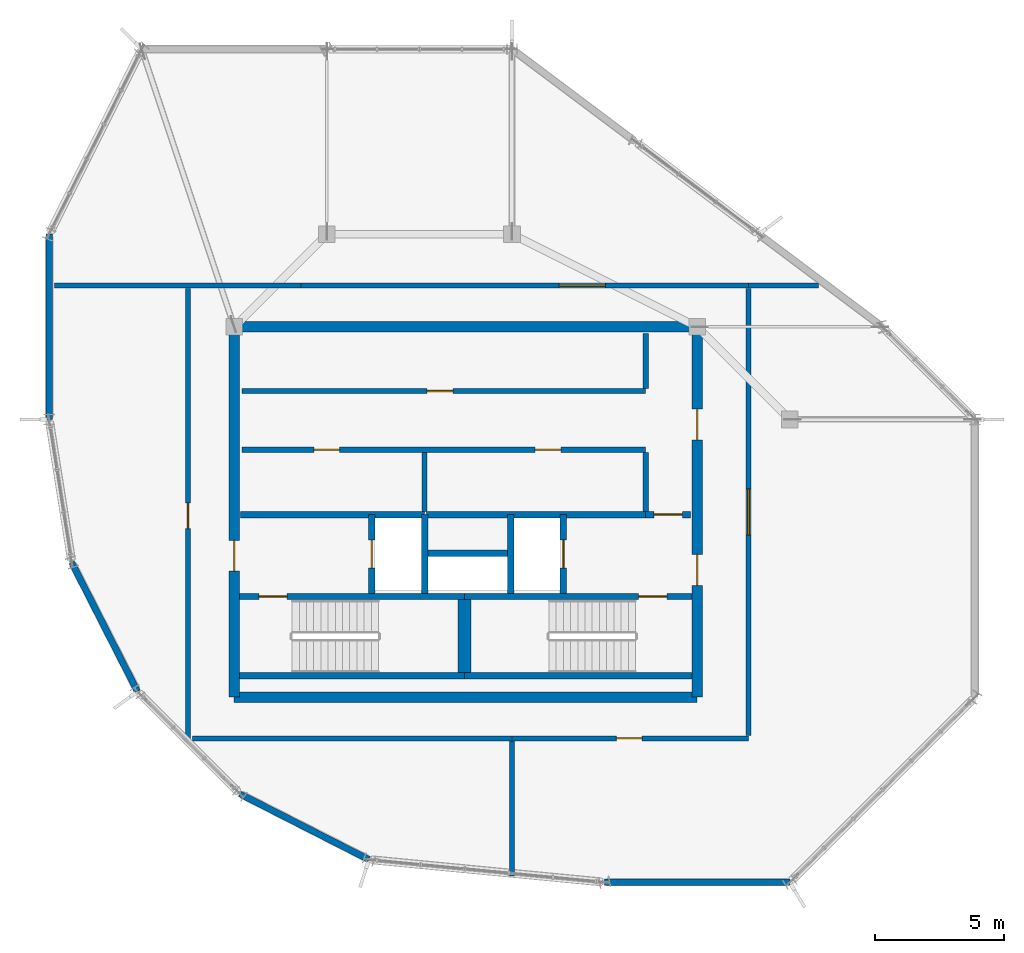
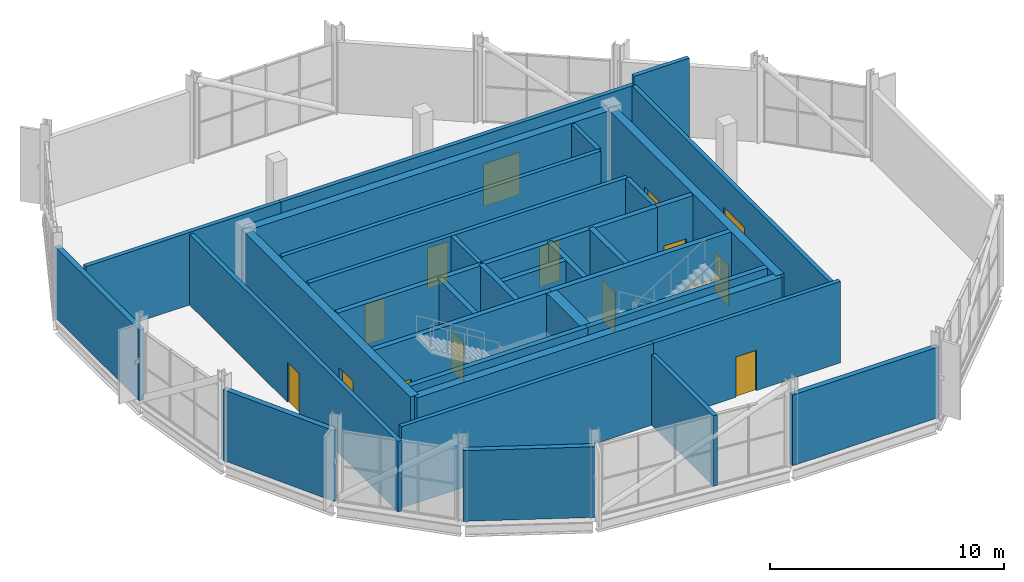
# One storey, part 19 of 22: 34 walls, 15 doors, 15 openings.
"""IFC4 building model written with IfcOpenShell, lengths in metres."""

from ifc_helpers import new_model, si_unit, direction, frame, frame_2d, origin, place, context, subcontext, project, spatial, rectangle, extrude, material, layer, layer_set, type_object, element, fill, save


model = new_model("IFC4")

# Units and contexts
model_context = context("Model", 3, precision=1e-05, world=origin(), true_north=direction((0.0, 1.0)))
body_context = subcontext(model_context, "Body", "Model", "MODEL_VIEW")
ifc_project = project(units=[si_unit("LENGTHUNIT", "METRE"), si_unit("AREAUNIT", "SQUARE_METRE"), si_unit("VOLUMEUNIT", "CUBIC_METRE"), si_unit("PLANEANGLEUNIT", "RADIAN"), si_unit("MASSUNIT", "GRAM", prefix="KILO")], contexts=[model_context])

# Site, building, storey
site_placement = place(None, origin())
site = spatial("IfcSite", under=ifc_project, at=site_placement, CompositionType="ELEMENT")
building_placement = place(site_placement, origin())
building = spatial("IfcBuilding", under=site, at=building_placement, Name="Solnavia Interchange Tower", CompositionType="ELEMENT")
storey_placement = place(building_placement, frame((0.0, 0.0, 308.699951171875)))
storey = spatial("IfcBuildingStorey", under=building, at=storey_placement, Name="C02", CompositionType="ELEMENT", Elevation=308.699951171875)

# Walls
ifc_material_1 = material(Name="Concrete C40/50", Category="concrete")
ifc_layer_1 = layer(ifc_material_1, 0.25)
ifc_layer_set_1 = layer_set([ifc_layer_1], Name="Concrete C40/50")
wall_type_1 = type_object("IfcWallType", Name="Wall-ExtSpandrel-250", PredefinedType="STANDARD", material=ifc_layer_set_1)
wall_1_placement = place(storey_placement, frame((7.199951171875, 28.800048828125, 0.0), z_axis=(0.0, 0.0, 1.0), x_axis=(0.0, -1.0, 0.0)))
element("IfcWall", 1, at=wall_1_placement, inside=storey, type_object=wall_type_1, Name="EXW-C02-R08 Crown ring facade panel", PredefinedType="STANDARD", context=body_context, shape_type="SweptSolid", body=[
    extrude(rectangle(XDim=7.199951171875, YDim=0.25, at=frame_2d((3.60009765625, 0.0))), origin(), (0.0, 0.0, 1.0), 3.679931640625),
])
for number, where, z_axis, x_axis, name in (
    (2, (8.0810546875, 16.0380859375, 0.0), (0.0, 0.0, 1.0), (0.453997861418, -0.891002773187, 0.0), "EXW-C02-R10 Crown ring facade panel"),
    (3, (14.6201171875, 7.0380859375, 0.0), (0.0, 0.0, 1.0), (0.890976300863, -0.454049811475, 0.0), "EXW-C02-R12 Crown ring facade panel"),
):
    element("IfcWall", number, at=place(storey_placement, frame(where, z_axis=z_axis, x_axis=x_axis)), inside=storey, type_object=wall_type_1, Name=name, PredefinedType="STANDARD", context=body_context, shape_type="SweptSolid", body=[
        extrude(rectangle(XDim=5.6318359375, YDim=0.25, at=frame_2d((2.81591796875, 0.0))), origin(), (0.0, 0.0, 1.0), 3.679931640625),
    ])
wall_2_placement = place(storey_placement, frame((28.800048828125, 3.60009765625, 0.0), z_axis=(0.0, 0.0, 1.0), x_axis=(1.0, 0.0, 0.0)))
element("IfcWall", 4, at=wall_2_placement, inside=storey, type_object=wall_type_1, Name="EXW-C02-R14 Crown ring facade panel", PredefinedType="STANDARD", context=body_context, shape_type="SweptSolid", body=[
    extrude(rectangle(XDim=7.199951171875, YDim=0.25, at=frame_2d((3.60009765625, 0.0))), origin(), (0.0, 0.0, 1.0), 3.679931640625),
])

# Wall, openings, doors
ifc_layer_2 = layer(ifc_material_1, 0.199951171875)
ifc_layer_set_2 = layer_set([ifc_layer_2], Name="Concrete C40/50")
wall_type_2 = type_object("IfcWallType", Name="Wall-PlantFire-200", PredefinedType="PARTITIONING", material=ifc_layer_set_2)
wall_3_placement = place(storey_placement, frame((14.699951171875, 20.419921875, 0.0), z_axis=(0.0, 0.0, 1.0), x_axis=(1.0, 0.0, 0.0)))
wall_3 = element("IfcWall", 5, at=wall_3_placement, inside=storey, type_object=wall_type_2, Name="CSW-C02-CR1 Core shaft wall", PredefinedType="PARTITIONING", context=body_context, shape_type="SweptSolid", body=[
    extrude(rectangle(XDim=15.699951171875, YDim=0.199951171875, at=frame_2d((7.85009765625, 0.0))), origin(), (0.0, 0.0, 1.0), 4.235107421875),
])
opening_1_placement = place(wall_3_placement, frame((2.800048828125, 0.0, 0.0)))
opening_1 = element("IfcOpeningElement", 6, at=opening_1_placement, cuts=wall_3, Name="Opening DR-04", PredefinedType="OPENING", context=body_context, shape_type="SweptSolid", body=[
    extrude(rectangle(XDim=1.0, YDim=2.10009765625, at=frame_2d((0.5, 1.050048828125))), frame((0.0, 0.10986328125, 0.0), z_axis=(0.0, -1.0, 0.0), x_axis=(1.0, 0.0, 0.0)), (0.0, 0.0, 1.0), 0.219970703125),
])
opening_2_placement = place(wall_3_placement, frame((11.39990234375, 0.0, 0.0)))
opening_2 = element("IfcOpeningElement", 7, at=opening_2_placement, cuts=wall_3, Name="Opening DR-04", PredefinedType="OPENING", context=body_context, shape_type="SweptSolid", body=[
    extrude(rectangle(XDim=1.0, YDim=2.10009765625, at=frame_2d((0.5, 1.050048828125))), frame((0.0, 0.10986328125, 0.0), z_axis=(0.0, -1.0, 0.0), x_axis=(1.0, 0.0, 0.0)), (0.0, 0.0, 1.0), 0.219970703125),
])
ifc_material_2 = material(Name="Steel Fire-Rated Plant Door", Category="steel")
door_type_1 = type_object("IfcDoorType", Name="Door-PlantFire-1000x2100", OperationType="SINGLE_SWING_LEFT", PredefinedType="DOOR", material=ifc_material_2)
door_1_placement = place(opening_1_placement, origin())
door_1 = element("IfcDoor", 8, at=door_1_placement, inside=storey, type_object=door_type_1, Name="DR-C02-CR1 Core fire door", OperationType="SINGLE_SWING_LEFT", OverallHeight=2.10009765625, OverallWidth=1.0, PredefinedType="DOOR", context=body_context, shape_type="SweptSolid", body=[
    extrude(rectangle(XDim=1.0, YDim=2.10009765625, at=frame_2d((0.5, 1.050048828125))), frame((0.0, 0.02490234375, 0.0), z_axis=(0.0, -1.0, 0.0), x_axis=(1.0, 0.0, 0.0)), (0.0, 0.0, 1.0), 0.050048828125),
])
fill(opening_1, door_1)
door_2_placement = place(opening_2_placement, origin())
door_2 = element("IfcDoor", 9, at=door_2_placement, inside=storey, type_object=door_type_1, Name="DR-C02-CR2 Core fire door", OperationType="SINGLE_SWING_RIGHT", OverallHeight=2.10009765625, OverallWidth=1.0, PredefinedType="DOOR", context=body_context, shape_type="SweptSolid", body=[
    extrude(rectangle(XDim=1.0, YDim=2.10009765625, at=frame_2d((0.5, 1.050048828125))), frame((0.0, 0.02490234375, 0.0), z_axis=(0.0, -1.0, 0.0), x_axis=(1.0, 0.0, 0.0)), (0.0, 0.0, 1.0), 0.050048828125),
])
fill(opening_2, door_2)

# Walls
for number, where, z_axis, x_axis, name in (
    (10, (30.39990234375, 18.02001953125, 0.0), (0.0, 0.0, 1.0), (0.0, 1.0, 0.0), "CSW-C02-CR2 Core shaft wall"),
    (11, (21.800048828125, 18.02001953125, 0.0), (0.0, 0.0, 1.0), (0.0, 1.0, 0.0), "CSW-C02-CR3 Core shaft wall"),
):
    element("IfcWall", number, at=place(storey_placement, frame(where, z_axis=z_axis, x_axis=x_axis)), inside=storey, type_object=wall_type_2, Name=name, PredefinedType="PARTITIONING", context=body_context, shape_type="SweptSolid", body=[
        extrude(rectangle(XDim=2.300048828125, YDim=0.199951171875, at=frame_2d((1.14990234375, 0.0))), origin(), (0.0, 0.0, 1.0), 4.235107421875),
    ])

# Wall, opening, door
wall_4_placement = place(storey_placement, frame((14.699951171875, 22.699951171875, 0.0), z_axis=(0.0, 0.0, 1.0), x_axis=(1.0, 0.0, 0.0)))
wall_4 = element("IfcWall", 12, at=wall_4_placement, inside=storey, type_object=wall_type_2, Name="CSW-C02-CR4 Core shaft wall", PredefinedType="PARTITIONING", context=body_context, shape_type="SweptSolid", body=[
    extrude(rectangle(XDim=15.699951171875, YDim=0.199951171875, at=frame_2d((7.85009765625, 0.0))), origin(), (0.0, 0.0, 1.0), 4.235107421875),
])
opening_3_placement = place(wall_4_placement, frame((7.199951171875, 0.0, 0.0)))
opening_3 = element("IfcOpeningElement", 13, at=opening_3_placement, cuts=wall_4, Name="Opening DR-04", PredefinedType="OPENING", context=body_context, shape_type="SweptSolid", body=[
    extrude(rectangle(XDim=1.0, YDim=2.10009765625, at=frame_2d((0.5, 1.050048828125))), frame((0.0, 0.10986328125, 0.0), z_axis=(0.0, -1.0, 0.0), x_axis=(1.0, 0.0, 0.0)), (0.0, 0.0, 1.0), 0.219970703125),
])
door_3_placement = place(opening_3_placement, origin())
door_3 = element("IfcDoor", 14, at=door_3_placement, inside=storey, type_object=door_type_1, Name="DR-C02-CR3 Core fire door", OperationType="SINGLE_SWING_LEFT", OverallHeight=2.10009765625, OverallWidth=1.0, PredefinedType="DOOR", context=body_context, shape_type="SweptSolid", body=[
    extrude(rectangle(XDim=1.0, YDim=2.10009765625, at=frame_2d((0.5, 1.050048828125))), frame((0.0, 0.02490234375, 0.0), z_axis=(0.0, -1.0, 0.0), x_axis=(1.0, 0.0, 0.0)), (0.0, 0.0, 1.0), 0.050048828125),
])
fill(opening_3, door_3)

# Wall
wall_5_placement = place(storey_placement, frame((30.39990234375, 22.800048828125, 0.0), z_axis=(0.0, 0.0, 1.0), x_axis=(0.0, 1.0, 0.0)))
element("IfcWall", 15, at=wall_5_placement, inside=storey, type_object=wall_type_2, Name="CSW-C02-CR5 Core shaft wall", PredefinedType="PARTITIONING", context=body_context, shape_type="SweptSolid", body=[
    extrude(rectangle(XDim=2.14990234375, YDim=0.199951171875, at=frame_2d((1.074951171875, 0.0))), origin(), (0.0, 0.0, 1.0), 4.235107421875),
])

# Wall, opening, door
wall_6_placement = place(storey_placement, frame((17.0, 26.800048828125, 0.0), z_axis=(0.0, 0.0, 1.0), x_axis=(1.0, 0.0, 0.0)))
wall_6 = element("IfcWall", 16, at=wall_6_placement, inside=storey, type_object=wall_type_2, Name="PTW-C02-01 Interior partition wall", PredefinedType="PARTITIONING", context=body_context, shape_type="SweptSolid", body=[
    extrude(rectangle(XDim=17.39990234375, YDim=0.199951171875, at=frame_2d((8.699951171875, 0.0))), origin(), (0.0, 0.0, 1.0), 3.780029296875),
])
opening_4_placement = place(wall_6_placement, frame((10.033935546875, 0.0, 0.0)))
opening_4 = element("IfcOpeningElement", 17, at=opening_4_placement, cuts=wall_6, Name="Opening DR-05", PredefinedType="OPENING", context=body_context, shape_type="SweptSolid", body=[
    extrude(rectangle(XDim=1.800048828125, YDim=2.199951171875, at=frame_2d((0.89990234375, 1.10009765625))), frame((0.0, 0.10986328125, 0.0), z_axis=(0.0, -1.0, 0.0), x_axis=(1.0, 0.0, 0.0)), (0.0, 0.0, 1.0), 0.219970703125),
])
ifc_material_3 = material(Name="Steel Double Fire Door", Category="steel")
door_type_2 = type_object("IfcDoorType", Name="Door-PlantDouble-1800x2200", OperationType="DOUBLE_DOOR_SINGLE_SWING", PredefinedType="DOOR", material=ifc_material_3)
door_4_placement = place(opening_4_placement, origin())
door_4 = element("IfcDoor", 18, at=door_4_placement, inside=storey, type_object=door_type_2, Name="DR-C02-01 Interior room door", OperationType="DOUBLE_DOOR_SINGLE_SWING", OverallHeight=2.199951171875, OverallWidth=1.800048828125, PredefinedType="DOOR", context=body_context, shape_type="SweptSolid", body=[
    extrude(rectangle(XDim=1.800048828125, YDim=2.199951171875, at=frame_2d((0.89990234375, 1.10009765625))), frame((0.0, 0.02490234375, 0.0), z_axis=(0.0, -1.0, 0.0), x_axis=(1.0, 0.0, 0.0)), (0.0, 0.0, 1.0), 0.050048828125),
])
fill(opening_4, door_4)

# Walls
wall_7_placement = place(storey_placement, frame((7.405029296875, 26.800048828125, 0.0), z_axis=(0.0, 0.0, 1.0), x_axis=(1.0, 0.0, 0.0)))
element("IfcWall", 19, at=wall_7_placement, inside=storey, type_object=wall_type_2, Name="PTW-C02-02 Interior partition wall", PredefinedType="PARTITIONING", context=body_context, shape_type="SweptSolid", body=[
    extrude(rectangle(XDim=9.594970703125, YDim=0.199951171875, at=frame_2d((4.79736328125, 0.0))), origin(), (0.0, 0.0, 1.0), 3.780029296875),
])
wall_8_placement = place(storey_placement, frame((34.39990234375, 26.800048828125, 0.0), z_axis=(0.0, 0.0, 1.0), x_axis=(1.0, 0.0, 0.0)))
element("IfcWall", 20, at=wall_8_placement, inside=storey, type_object=wall_type_2, Name="PTW-C02-03 Interior partition wall", PredefinedType="PARTITIONING", context=body_context, shape_type="SweptSolid", body=[
    extrude(rectangle(XDim=2.72509765625, YDim=0.199951171875, at=frame_2d((1.362548828125, 0.0))), origin(), (0.0, 0.0, 1.0), 4.235107421875),
])

# Wall, opening, door
wall_9_placement = place(storey_placement, frame((12.60009765625, 8.916015625, 0.0), z_axis=(0.0, 0.0, 1.0), x_axis=(0.0, 1.0, 0.0)))
wall_9 = element("IfcWall", 21, at=wall_9_placement, inside=storey, type_object=wall_type_2, Name="PTW-C02-04 Interior partition wall", PredefinedType="PARTITIONING", context=body_context, shape_type="SweptSolid", body=[
    extrude(rectangle(XDim=17.780029296875, YDim=0.199951171875, at=frame_2d((8.89013671875, 0.0))), origin(), (0.0, 0.0, 1.0), 3.679931640625),
])
opening_5_placement = place(wall_9_placement, frame((8.44189453125, 0.0, 0.0)))
opening_5 = element("IfcOpeningElement", 22, at=opening_5_placement, cuts=wall_9, Name="Opening DR-04", PredefinedType="OPENING", context=body_context, shape_type="SweptSolid", body=[
    extrude(rectangle(XDim=1.0, YDim=2.10009765625, at=frame_2d((0.5, 1.050048828125))), frame((0.0, 0.10986328125, 0.0), z_axis=(0.0, -1.0, 0.0), x_axis=(1.0, 0.0, 0.0)), (0.0, 0.0, 1.0), 0.219970703125),
])
door_5_placement = place(opening_5_placement, origin())
door_5 = element("IfcDoor", 23, at=door_5_placement, inside=storey, type_object=door_type_1, Name="DR-C02-02 Interior room door", OperationType="SINGLE_SWING_LEFT", OverallHeight=2.10009765625, OverallWidth=1.0, PredefinedType="DOOR", context=body_context, shape_type="SweptSolid", body=[
    extrude(rectangle(XDim=1.0, YDim=2.10009765625, at=frame_2d((0.5, 1.050048828125))), frame((0.0, 0.02490234375, 0.0), z_axis=(0.0, -1.0, 0.0), x_axis=(1.0, 0.0, 0.0)), (0.0, 0.0, 1.0), 0.050048828125),
])
fill(opening_5, door_5)

# Wall
wall_10_placement = place(storey_placement, frame((12.780029296875, 9.199951171875, 0.0), z_axis=(0.0, 0.0, 1.0), x_axis=(1.0, 0.0, 0.0)))
element("IfcWall", 24, at=wall_10_placement, inside=storey, type_object=wall_type_2, Name="PTW-C02-05 Interior partition wall", PredefinedType="PARTITIONING", context=body_context, shape_type="SweptSolid", body=[
    extrude(rectangle(XDim=12.419921875, YDim=0.199951171875, at=frame_2d((6.2099609375, 0.0))), origin(), (0.0, 0.0, 1.0), 4.235107421875),
])

# Wall, opening, door
wall_11_placement = place(storey_placement, frame((25.199951171875, 9.199951171875, 0.0), z_axis=(0.0, 0.0, 1.0), x_axis=(1.0, 0.0, 0.0)))
wall_11 = element("IfcWall", 25, at=wall_11_placement, inside=storey, type_object=wall_type_2, Name="PTW-C02-06 Interior partition wall", PredefinedType="PARTITIONING", context=body_context, shape_type="SweptSolid", body=[
    extrude(rectangle(XDim=9.199951171875, YDim=0.199951171875, at=frame_2d((4.60009765625, 0.0))), origin(), (0.0, 0.0, 1.0), 4.235107421875),
])
opening_6_placement = place(wall_11_placement, frame((4.06005859375, 0.0, 0.0)))
opening_6 = element("IfcOpeningElement", 26, at=opening_6_placement, cuts=wall_11, Name="Opening DR-04", PredefinedType="OPENING", context=body_context, shape_type="SweptSolid", body=[
    extrude(rectangle(XDim=1.0, YDim=2.10009765625, at=frame_2d((0.5, 1.050048828125))), frame((0.0, 0.10986328125, 0.0), z_axis=(0.0, -1.0, 0.0), x_axis=(1.0, 0.0, 0.0)), (0.0, 0.0, 1.0), 0.219970703125),
])
door_6_placement = place(opening_6_placement, origin())
door_6 = element("IfcDoor", 27, at=door_6_placement, inside=storey, type_object=door_type_1, Name="DR-C02-03 Interior room door", OperationType="SINGLE_SWING_RIGHT", OverallHeight=2.10009765625, OverallWidth=1.0, PredefinedType="DOOR", context=body_context, shape_type="SweptSolid", body=[
    extrude(rectangle(XDim=1.0, YDim=2.10009765625, at=frame_2d((0.5, 1.050048828125))), frame((0.0, 0.02490234375, 0.0), z_axis=(0.0, -1.0, 0.0), x_axis=(1.0, 0.0, 0.0)), (0.0, 0.0, 1.0), 0.050048828125),
])
fill(opening_6, door_6)

wall_12_placement = place(storey_placement, frame((34.39990234375, 9.303955078125, 0.0), z_axis=(0.0, 0.0, 1.0), x_axis=(0.0, 1.0, 0.0)))
wall_12 = element("IfcWall", 28, at=wall_12_placement, inside=storey, type_object=wall_type_2, Name="PTW-C02-07 Interior partition wall", PredefinedType="PARTITIONING", context=body_context, shape_type="SweptSolid", body=[
    extrude(rectangle(XDim=17.39208984375, YDim=0.199951171875, at=frame_2d((8.696044921875, 0.0))), origin(), (0.0, 0.0, 1.0), 3.780029296875),
])
opening_7_placement = place(wall_12_placement, frame((7.7958984375, 0.0, 0.0)))
opening_7 = element("IfcOpeningElement", 29, at=opening_7_placement, cuts=wall_12, Name="Opening DR-05", PredefinedType="OPENING", context=body_context, shape_type="SweptSolid", body=[
    extrude(rectangle(XDim=1.800048828125, YDim=2.199951171875, at=frame_2d((0.89990234375, 1.10009765625))), frame((0.0, 0.10986328125, 0.0), z_axis=(0.0, -1.0, 0.0), x_axis=(1.0, 0.0, 0.0)), (0.0, 0.0, 1.0), 0.219970703125),
])
door_7_placement = place(opening_7_placement, origin())
door_7 = element("IfcDoor", 30, at=door_7_placement, inside=storey, type_object=door_type_2, Name="DR-C02-04 Interior room door", OperationType="DOUBLE_DOOR_SINGLE_SWING", OverallHeight=2.199951171875, OverallWidth=1.800048828125, PredefinedType="DOOR", context=body_context, shape_type="SweptSolid", body=[
    extrude(rectangle(XDim=1.800048828125, YDim=2.199951171875, at=frame_2d((0.89990234375, 1.10009765625))), frame((0.0, 0.02490234375, 0.0), z_axis=(0.0, -1.0, 0.0), x_axis=(1.0, 0.0, 0.0)), (0.0, 0.0, 1.0), 0.050048828125),
])
fill(opening_7, door_7)

# Walls
wall_13_placement = place(storey_placement, frame((25.199951171875, 3.845947265625, 0.0), z_axis=(0.0, 0.0, 1.0), x_axis=(0.0, 1.0, 0.0)))
element("IfcWall", 31, at=wall_13_placement, inside=storey, type_object=wall_type_2, Name="PTW-C02-08 Interior partition wall", PredefinedType="PARTITIONING", context=body_context, shape_type="SweptSolid", body=[
    extrude(rectangle(XDim=5.25, YDim=0.199951171875, at=frame_2d((2.625, 0.0))), origin(), (0.0, 0.0, 1.0), 3.679931640625),
])
ifc_layer_3 = layer(ifc_material_1, 0.25)
ifc_layer_set_3 = layer_set([ifc_layer_3], Name="Concrete C40/50")
wall_type_3 = type_object("IfcWallType", Name="Wall-ShaftCore-250", PredefinedType="SHEAR", material=ifc_layer_set_3)
wall_14_placement = place(storey_placement, frame((14.60009765625, 11.625, 0.0), z_axis=(0.0, 0.0, 1.0), x_axis=(1.0, 0.0, 0.0)))
element("IfcWall", 32, at=wall_14_placement, inside=storey, type_object=wall_type_3, Name="SHW-C02-ST1S Core shear wall", PredefinedType="SHEAR", context=body_context, shape_type="SweptSolid", body=[
    extrude(rectangle(XDim=8.75, YDim=0.25, at=frame_2d((4.375, 0.0))), origin(), (0.0, 0.0, 1.0), 4.25),
])

# Wall, opening, door
wall_15_placement = place(storey_placement, frame((14.60009765625, 14.715087890625, 0.0), z_axis=(0.0, 0.0, 1.0), x_axis=(1.0, 0.0, 0.0)))
wall_15 = element("IfcWall", 33, at=wall_15_placement, inside=storey, type_object=wall_type_3, Name="SHW-C02-ST1N Core shear wall", PredefinedType="SHEAR", context=body_context, shape_type="SweptSolid", body=[
    extrude(rectangle(XDim=8.75, YDim=0.25, at=frame_2d((4.375, 0.0))), origin(), (0.0, 0.0, 1.0), 4.25),
])
opening_8_placement = place(wall_15_placement, frame((0.7548828125, 0.0, 0.0)))
opening_8 = element("IfcOpeningElement", 34, at=opening_8_placement, cuts=wall_15, Name="Opening DR-01", PredefinedType="OPENING", context=body_context, shape_type="SweptSolid", body=[
    extrude(rectangle(XDim=1.10009765625, YDim=2.10009765625, at=frame_2d((0.550048828125, 1.050048828125))), frame((0.0, 0.135009765625, 0.0), z_axis=(0.0, -1.0, 0.0), x_axis=(1.0, 0.0, 0.0)), (0.0, 0.0, 1.0), 0.27001953125),
])
ifc_material_4 = material(Name="Steel Fire-Rated Leaf & Frame", Category="steel")
door_type_3 = type_object("IfcDoorType", Name="Door-StairFire-1100x2100", OperationType="SINGLE_SWING_LEFT", PredefinedType="DOOR", material=ifc_material_4)
door_8_placement = place(opening_8_placement, origin())
door_8 = element("IfcDoor", 35, at=door_8_placement, inside=storey, type_object=door_type_3, Name="DR-C02-ST1 Core fire door", OperationType="SINGLE_SWING_LEFT", OverallHeight=2.10009765625, OverallWidth=1.10009765625, PredefinedType="DOOR", context=body_context, shape_type="SweptSolid", body=[
    extrude(rectangle(XDim=1.10009765625, YDim=2.10009765625, at=frame_2d((0.550048828125, 1.050048828125))), frame((0.0, 0.02490234375, 0.0), z_axis=(0.0, -1.0, 0.0), x_axis=(1.0, 0.0, 0.0)), (0.0, 0.0, 1.0), 0.050048828125),
])
fill(opening_8, door_8)

# Wall
wall_16_placement = place(storey_placement, frame((23.35009765625, 11.625, 0.0), z_axis=(0.0, 0.0, 1.0), x_axis=(1.0, 0.0, 0.0)))
element("IfcWall", 36, at=wall_16_placement, inside=storey, type_object=wall_type_3, Name="SHW-C02-ST2S Core shear wall", PredefinedType="SHEAR", context=body_context, shape_type="SweptSolid", body=[
    extrude(rectangle(XDim=8.849853515625, YDim=0.25, at=frame_2d((4.4248046875, 0.0))), origin(), (0.0, 0.0, 1.0), 4.25),
])

# Wall, opening, door
wall_17_placement = place(storey_placement, frame((23.35009765625, 14.715087890625, 0.0), z_axis=(0.0, 0.0, 1.0), x_axis=(1.0, 0.0, 0.0)))
wall_17 = element("IfcWall", 37, at=wall_17_placement, inside=storey, type_object=wall_type_3, Name="SHW-C02-ST2N Core shear wall", PredefinedType="SHEAR", context=body_context, shape_type="SweptSolid", body=[
    extrude(rectangle(XDim=8.849853515625, YDim=0.25, at=frame_2d((4.4248046875, 0.0))), origin(), (0.0, 0.0, 1.0), 4.25),
])
opening_9_placement = place(wall_17_placement, frame((6.77490234375, 0.0, 0.0)))
opening_9 = element("IfcOpeningElement", 38, at=opening_9_placement, cuts=wall_17, Name="Opening DR-01", PredefinedType="OPENING", context=body_context, shape_type="SweptSolid", body=[
    extrude(rectangle(XDim=1.10009765625, YDim=2.10009765625, at=frame_2d((0.550048828125, 1.050048828125))), frame((0.0, 0.135009765625, 0.0), z_axis=(0.0, -1.0, 0.0), x_axis=(1.0, 0.0, 0.0)), (0.0, 0.0, 1.0), 0.27001953125),
])
door_9_placement = place(opening_9_placement, origin())
door_9 = element("IfcDoor", 39, at=door_9_placement, inside=storey, type_object=door_type_3, Name="DR-C02-ST2 Core fire door", OperationType="SINGLE_SWING_LEFT", OverallHeight=2.10009765625, OverallWidth=1.10009765625, PredefinedType="DOOR", context=body_context, shape_type="SweptSolid", body=[
    extrude(rectangle(XDim=1.10009765625, YDim=2.10009765625, at=frame_2d((0.550048828125, 1.050048828125))), frame((0.0, 0.02490234375, 0.0), z_axis=(0.0, -1.0, 0.0), x_axis=(1.0, 0.0, 0.0)), (0.0, 0.0, 1.0), 0.050048828125),
])
fill(opening_9, door_9)

# Wall
ifc_layer_4 = layer(ifc_material_1, 0.25)
ifc_layer_set_4 = layer_set([ifc_layer_4], Name="Concrete C40/50")
wall_type_4 = type_object("IfcWallType", Name="Wall-ShaftPart-250", PredefinedType="PARTITIONING", material=ifc_layer_set_4)
wall_18_placement = place(storey_placement, frame((14.64990234375, 17.89990234375, 0.0), z_axis=(0.0, 0.0, 1.0), x_axis=(1.0, 0.0, 0.0)))
element("IfcWall", 40, at=wall_18_placement, inside=storey, type_object=wall_type_4, Name="SHW-C02-FFLW-N Core shaft wall", PredefinedType="PARTITIONING", context=body_context, shape_type="SweptSolid", body=[
    extrude(rectangle(XDim=7.150146484375, YDim=0.25, at=frame_2d((3.5751953125, 0.0))), origin(), (0.0, 0.0, 1.0), 4.235107421875),
])

# Wall, opening, door
wall_19_placement = place(storey_placement, frame((19.75, 14.840087890625, 0.0), z_axis=(0.0, 0.0, 1.0), x_axis=(0.0, 1.0, 0.0)))
wall_19 = element("IfcWall", 41, at=wall_19_placement, inside=storey, type_object=wall_type_4, Name="SHW-C02-FFL1-W Core shaft wall", PredefinedType="PARTITIONING", context=body_context, shape_type="SweptSolid", body=[
    extrude(rectangle(XDim=3.059814453125, YDim=0.25, at=frame_2d((1.52978515625, 0.0))), origin(), (0.0, 0.0, 1.0), 4.235107421875),
])
opening_10_placement = place(wall_19_placement, frame((0.97998046875, 0.0, 0.0)))
opening_10 = element("IfcOpeningElement", 42, at=opening_10_placement, cuts=wall_19, Name="Opening LD-01", PredefinedType="OPENING", context=body_context, shape_type="SweptSolid", body=[
    extrude(rectangle(XDim=1.10009765625, YDim=2.10009765625, at=frame_2d((0.550048828125, 1.050048828125))), frame((0.0, 0.135009765625, 0.0), z_axis=(0.0, -1.0, 0.0), x_axis=(1.0, 0.0, 0.0)), (0.0, 0.0, 1.0), 0.27001953125),
])
ifc_material_5 = material(Name="Brushed Stainless Steel Sliding Door", Category="steel")
door_type_4 = type_object("IfcDoorType", Name="Door-LiftLanding-1100x2100", OperationType="SLIDING_TO_LEFT", PredefinedType="DOOR", material=ifc_material_5)
door_10_placement = place(opening_10_placement, origin())
door_10 = element("IfcDoor", 43, at=door_10_placement, inside=storey, type_object=door_type_4, Name="LD-C02-FFL1 Lift landing sliding door", OperationType="SLIDING_TO_LEFT", OverallHeight=2.10009765625, OverallWidth=1.10009765625, PredefinedType="DOOR", context=body_context, shape_type="SweptSolid", body=[
    extrude(rectangle(XDim=1.10009765625, YDim=2.10009765625, at=frame_2d((0.550048828125, 1.050048828125))), frame((0.0, 0.02490234375, 0.0), z_axis=(0.0, -1.0, 0.0), x_axis=(1.0, 0.0, 0.0)), (0.0, 0.0, 1.0), 0.050048828125),
])
fill(opening_10, door_10)

# Walls
wall_20_placement = place(storey_placement, frame((21.800048828125, 14.840087890625, 0.0), z_axis=(0.0, 0.0, 1.0), x_axis=(0.0, 1.0, 0.0)))
element("IfcWall", 44, at=wall_20_placement, inside=storey, type_object=wall_type_4, Name="SHW-C02-FFL1-E Core shaft wall", PredefinedType="PARTITIONING", context=body_context, shape_type="SweptSolid", body=[
    extrude(rectangle(XDim=3.059814453125, YDim=0.25, at=frame_2d((1.52978515625, 0.0))), origin(), (0.0, 0.0, 1.0), 4.235107421875),
])
wall_21_placement = place(storey_placement, frame((21.8798828125, 17.89990234375, 0.0), z_axis=(0.0, 0.0, 1.0), x_axis=(1.0, 0.0, 0.0)))
element("IfcWall", 45, at=wall_21_placement, inside=storey, type_object=wall_type_4, Name="SHW-C02-FFLE-N1 Core shaft wall", PredefinedType="PARTITIONING", context=body_context, shape_type="SweptSolid", body=[
    extrude(rectangle(XDim=8.52001953125, YDim=0.25, at=frame_2d((4.260009765625, 0.0))), origin(), (0.0, 0.0, 1.0), 4.235107421875),
])

# Wall, opening, door
wall_22_placement = place(storey_placement, frame((30.39990234375, 17.89990234375, 0.0), z_axis=(0.0, 0.0, 1.0), x_axis=(1.0, 0.0, 0.0)))
wall_22 = element("IfcWall", 46, at=wall_22_placement, inside=storey, type_object=wall_type_4, Name="SHW-C02-FFLE-N2 Core shaft wall", PredefinedType="PARTITIONING", context=body_context, shape_type="SweptSolid", body=[
    extrude(rectangle(XDim=1.75, YDim=0.25, at=frame_2d((0.875, 0.0))), origin(), (0.0, 0.0, 1.0), 4.235107421875),
])
opening_11_placement = place(wall_22_placement, frame((0.320068359375, 0.0, 0.0)))
opening_11 = element("IfcOpeningElement", 47, at=opening_11_placement, cuts=wall_22, Name="Opening DR-01", PredefinedType="OPENING", context=body_context, shape_type="SweptSolid", body=[
    extrude(rectangle(XDim=1.10009765625, YDim=2.10009765625, at=frame_2d((0.550048828125, 1.050048828125))), frame((0.0, 0.135009765625, 0.0), z_axis=(0.0, -1.0, 0.0), x_axis=(1.0, 0.0, 0.0)), (0.0, 0.0, 1.0), 0.27001953125),
])
door_11_placement = place(opening_11_placement, origin())
door_11 = element("IfcDoor", 48, at=door_11_placement, inside=storey, type_object=door_type_3, Name="DR-C02-LLC Core fire door", OperationType="SINGLE_SWING_LEFT", OverallHeight=2.10009765625, OverallWidth=1.10009765625, PredefinedType="DOOR", context=body_context, shape_type="SweptSolid", body=[
    extrude(rectangle(XDim=1.10009765625, YDim=2.10009765625, at=frame_2d((0.550048828125, 1.050048828125))), frame((0.0, 0.02490234375, 0.0), z_axis=(0.0, -1.0, 0.0), x_axis=(1.0, 0.0, 0.0)), (0.0, 0.0, 1.0), 0.050048828125),
])
fill(opening_11, door_11)

# Wall
wall_23_placement = place(storey_placement, frame((25.14990234375, 14.840087890625, 0.0), z_axis=(0.0, 0.0, 1.0), x_axis=(0.0, 1.0, 0.0)))
element("IfcWall", 49, at=wall_23_placement, inside=storey, type_object=wall_type_4, Name="SHW-C02-FFL2-W Core shaft wall", PredefinedType="PARTITIONING", context=body_context, shape_type="SweptSolid", body=[
    extrude(rectangle(XDim=3.059814453125, YDim=0.25, at=frame_2d((1.52978515625, 0.0))), origin(), (0.0, 0.0, 1.0), 4.235107421875),
])

# Wall, opening, door
wall_24_placement = place(storey_placement, frame((27.199951171875, 14.840087890625, 0.0), z_axis=(0.0, 0.0, 1.0), x_axis=(0.0, 1.0, 0.0)))
wall_24 = element("IfcWall", 50, at=wall_24_placement, inside=storey, type_object=wall_type_4, Name="SHW-C02-FFL2-E Core shaft wall", PredefinedType="PARTITIONING", context=body_context, shape_type="SweptSolid", body=[
    extrude(rectangle(XDim=3.059814453125, YDim=0.25, at=frame_2d((1.52978515625, 0.0))), origin(), (0.0, 0.0, 1.0), 4.235107421875),
])
opening_12_placement = place(wall_24_placement, frame((0.97998046875, 0.0, 0.0)))
opening_12 = element("IfcOpeningElement", 51, at=opening_12_placement, cuts=wall_24, Name="Opening LD-01", PredefinedType="OPENING", context=body_context, shape_type="SweptSolid", body=[
    extrude(rectangle(XDim=1.10009765625, YDim=2.10009765625, at=frame_2d((0.550048828125, 1.050048828125))), frame((0.0, 0.135009765625, 0.0), z_axis=(0.0, -1.0, 0.0), x_axis=(1.0, 0.0, 0.0)), (0.0, 0.0, 1.0), 0.27001953125),
])
door_12_placement = place(opening_12_placement, origin())
door_12 = element("IfcDoor", 52, at=door_12_placement, inside=storey, type_object=door_type_4, Name="LD-C02-FFL2 Lift landing sliding door", OperationType="SLIDING_TO_LEFT", OverallHeight=2.10009765625, OverallWidth=1.10009765625, PredefinedType="DOOR", context=body_context, shape_type="SweptSolid", body=[
    extrude(rectangle(XDim=1.10009765625, YDim=2.10009765625, at=frame_2d((0.550048828125, 1.050048828125))), frame((0.0, 0.02490234375, 0.0), z_axis=(0.0, -1.0, 0.0), x_axis=(1.0, 0.0, 0.0)), (0.0, 0.0, 1.0), 0.050048828125),
])
fill(opening_12, door_12)

# Walls
wall_25_placement = place(storey_placement, frame((21.800048828125, 16.39990234375, 0.0), z_axis=(0.0, 0.0, 1.0), x_axis=(1.0, 0.0, 0.0)))
element("IfcWall", 53, at=wall_25_placement, inside=storey, type_object=wall_type_4, Name="SHW-C02-MEP-N Core shaft wall", PredefinedType="PARTITIONING", context=body_context, shape_type="SweptSolid", body=[
    extrude(rectangle(XDim=3.349853515625, YDim=0.25, at=frame_2d((1.6748046875, 0.0))), origin(), (0.0, 0.0, 1.0), 4.235107421875),
])
ifc_material_6 = material(Name="Concrete C50/60", Category="concrete")
ifc_layer_5 = layer(ifc_material_6, 0.39990234375)
ifc_layer_set_5 = layer_set([ifc_layer_5], Name="Concrete C50/60")
wall_type_5 = type_object("IfcWallType", Name="Wall-ShearCore-400", PredefinedType="SHEAR", material=ifc_layer_set_5)
for number, where, z_axis, x_axis, name in (
    (54, (14.39990234375, 10.800048828125, 0.0), (0.0, 0.0, 1.0), (1.0, 0.0, 0.0), "CRW-C02-S Core shear wall"),
    (55, (14.39990234375, 25.199951171875, 0.0), (0.0, 0.0, 1.0), (1.0, 0.0, 0.0), "CRW-C02-N Core shear wall"),
):
    element("IfcWall", number, at=place(storey_placement, frame(where, z_axis=z_axis, x_axis=x_axis)), inside=storey, type_object=wall_type_5, Name=name, PredefinedType="SHEAR", context=body_context, shape_type="SweptSolid", body=[
        extrude(rectangle(XDim=18.0, YDim=0.39990234375, at=frame_2d((9.0, 0.0))), origin(), (0.0, 0.0, 1.0), 4.25),
    ])

# Wall, opening, door
wall_26_placement = place(storey_placement, frame((14.39990234375, 10.800048828125, 0.0), z_axis=(0.0, 0.0, 1.0), x_axis=(0.0, 1.0, 0.0)))
wall_26 = element("IfcWall", 56, at=wall_26_placement, inside=storey, type_object=wall_type_5, Name="CRW-C02-W Core shear wall", PredefinedType="SHEAR", context=body_context, shape_type="SweptSolid", body=[
    extrude(rectangle(XDim=14.39990234375, YDim=0.39990234375, at=frame_2d((7.199951171875, 0.0))), origin(), (0.0, 0.0, 1.0), 4.25),
])
opening_13_placement = place(wall_26_placement, frame((4.89990234375, 0.0, 0.0)))
opening_13 = element("IfcOpeningElement", 57, at=opening_13_placement, cuts=wall_26, Name="Opening DR-02", PredefinedType="OPENING", context=body_context, shape_type="SweptSolid", body=[
    extrude(rectangle(XDim=1.199951171875, YDim=2.10009765625, at=frame_2d((0.60009765625, 1.050048828125))), frame((0.0, 0.2099609375, 0.0), z_axis=(0.0, -1.0, 0.0), x_axis=(1.0, 0.0, 0.0)), (0.0, 0.0, 1.0), 0.419921875),
])
ifc_material_7 = material(Name="Steel Fire-Rated Vision-Panel Door", Category="steel")
door_type_5 = type_object("IfcDoorType", Name="Door-LobbyFire-1200x2100", OperationType="SINGLE_SWING_RIGHT", PredefinedType="DOOR", material=ifc_material_7)
door_13_placement = place(opening_13_placement, origin())
door_13 = element("IfcDoor", 58, at=door_13_placement, inside=storey, type_object=door_type_5, Name="DR-C02-FFL1W Core fire door", OperationType="SINGLE_SWING_RIGHT", OverallHeight=2.10009765625, OverallWidth=1.199951171875, PredefinedType="DOOR", context=body_context, shape_type="SweptSolid", body=[
    extrude(rectangle(XDim=1.199951171875, YDim=2.10009765625, at=frame_2d((0.60009765625, 1.050048828125))), frame((0.0, 0.02490234375, 0.0), z_axis=(0.0, -1.0, 0.0), x_axis=(1.0, 0.0, 0.0)), (0.0, 0.0, 1.0), 0.050048828125),
])
fill(opening_13, door_13)

# Wall, openings, doors
wall_27_placement = place(storey_placement, frame((32.39990234375, 10.800048828125, 0.0), z_axis=(0.0, 0.0, 1.0), x_axis=(0.0, 1.0, 0.0)))
wall_27 = element("IfcWall", 59, at=wall_27_placement, inside=storey, type_object=wall_type_5, Name="CRW-C02-E Core shear wall", PredefinedType="SHEAR", context=body_context, shape_type="SweptSolid", body=[
    extrude(rectangle(XDim=14.39990234375, YDim=0.39990234375, at=frame_2d((7.199951171875, 0.0))), origin(), (0.0, 0.0, 1.0), 4.25),
])
opening_14_placement = place(wall_27_placement, frame((4.35009765625, 0.0, 0.0)))
opening_14 = element("IfcOpeningElement", 60, at=opening_14_placement, cuts=wall_27, Name="Opening DR-02", PredefinedType="OPENING", context=body_context, shape_type="SweptSolid", body=[
    extrude(rectangle(XDim=1.199951171875, YDim=2.10009765625, at=frame_2d((0.60009765625, 1.050048828125))), frame((0.0, 0.2099609375, 0.0), z_axis=(0.0, -1.0, 0.0), x_axis=(1.0, 0.0, 0.0)), (0.0, 0.0, 1.0), 0.419921875),
])
opening_15_placement = place(wall_27_placement, frame((10.0, 0.0, 0.0)))
opening_15 = element("IfcOpeningElement", 61, at=opening_15_placement, cuts=wall_27, Name="Opening DR-02", PredefinedType="OPENING", context=body_context, shape_type="SweptSolid", body=[
    extrude(rectangle(XDim=1.199951171875, YDim=2.10009765625, at=frame_2d((0.60009765625, 1.050048828125))), frame((0.0, 0.2099609375, 0.0), z_axis=(0.0, -1.0, 0.0), x_axis=(1.0, 0.0, 0.0)), (0.0, 0.0, 1.0), 0.419921875),
])
door_14_placement = place(opening_14_placement, origin())
door_14 = element("IfcDoor", 62, at=door_14_placement, inside=storey, type_object=door_type_5, Name="DR-C02-FFL2E Core fire door", OperationType="SINGLE_SWING_LEFT", OverallHeight=2.10009765625, OverallWidth=1.199951171875, PredefinedType="DOOR", context=body_context, shape_type="SweptSolid", body=[
    extrude(rectangle(XDim=1.199951171875, YDim=2.10009765625, at=frame_2d((0.60009765625, 1.050048828125))), frame((0.0, 0.02490234375, 0.0), z_axis=(0.0, -1.0, 0.0), x_axis=(1.0, 0.0, 0.0)), (0.0, 0.0, 1.0), 0.050048828125),
])
fill(opening_14, door_14)
door_15_placement = place(opening_15_placement, origin())
door_15 = element("IfcDoor", 63, at=door_15_placement, inside=storey, type_object=door_type_5, Name="DR-C02-LLE Core fire door", OperationType="SINGLE_SWING_RIGHT", OverallHeight=2.10009765625, OverallWidth=1.199951171875, PredefinedType="DOOR", context=body_context, shape_type="SweptSolid", body=[
    extrude(rectangle(XDim=1.199951171875, YDim=2.10009765625, at=frame_2d((0.60009765625, 1.050048828125))), frame((0.0, 0.02490234375, 0.0), z_axis=(0.0, -1.0, 0.0), x_axis=(1.0, 0.0, 0.0)), (0.0, 0.0, 1.0), 0.050048828125),
])
fill(opening_15, door_15)

# Wall
ifc_material_8 = material(Name="Concrete C60/75", Category="concrete")
ifc_layer_6 = layer(ifc_material_8, 0.5)
ifc_layer_set_6 = layer_set([ifc_layer_6], Name="Concrete C60/75")
wall_type_6 = type_object("IfcWallType", Name="Wall-ShearCore-500", PredefinedType="SHEAR", material=ifc_layer_set_6)
wall_28_placement = place(storey_placement, frame((23.35009765625, 11.75, 0.0), z_axis=(0.0, 0.0, 1.0), x_axis=(0.0, 1.0, 0.0)))
element("IfcWall", 64, at=wall_28_placement, inside=storey, type_object=wall_type_6, Name="SHW-C02-ST12M Core shear wall", PredefinedType="SHEAR", context=body_context, shape_type="SweptSolid", body=[
    extrude(rectangle(XDim=2.840087890625, YDim=0.5, at=frame_2d((1.419921875, 0.0))), origin(), (0.0, 0.0, 1.0), 4.25),
])

save(model, "model.ifc")
